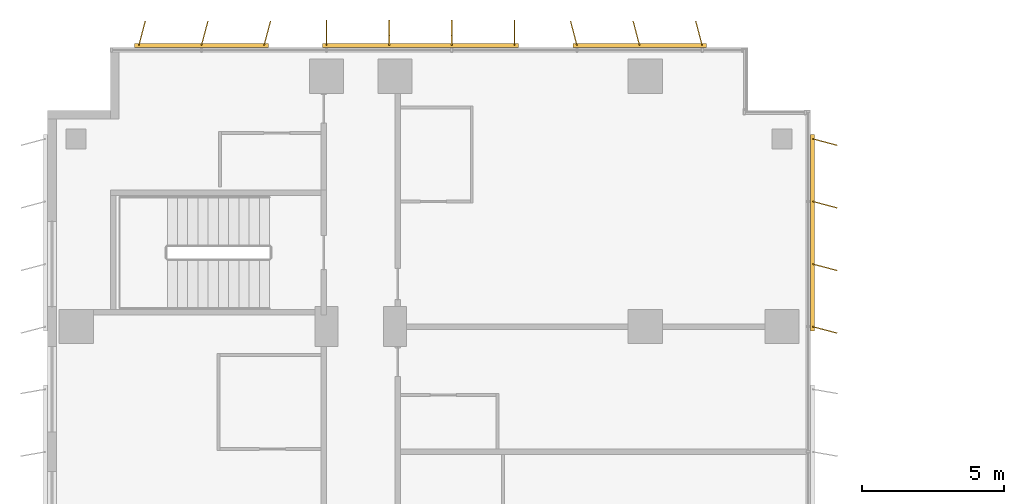
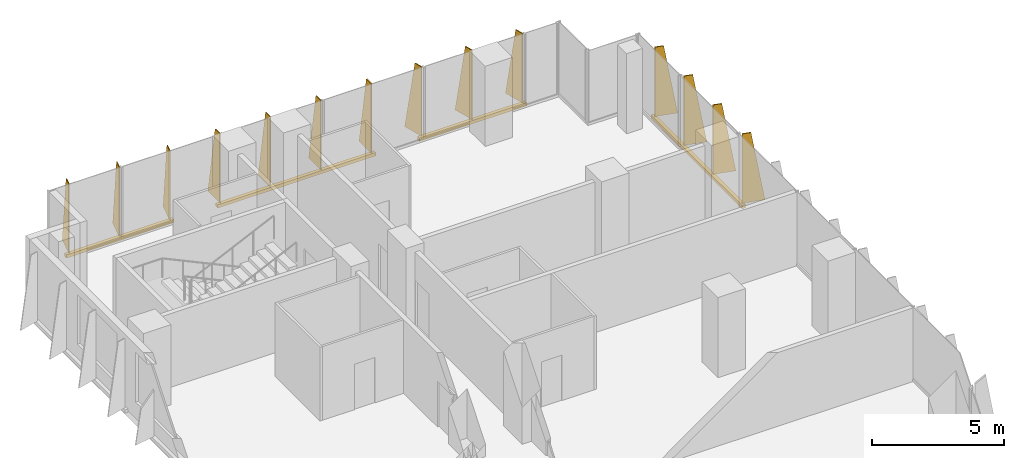
# One storey, part 22 of 22: 4 shading devices.
"""IFC4 building model written with IfcOpenShell, lengths in metres."""

from ifc_helpers import new_model, si_unit, direction, frame, origin, origin_2d, place, context, subcontext, project, spatial, polyline, rectangle, outline, extrude, source, transform, mapped, material, layer, layer_set, type_object, element, save


model = new_model("IFC4")

# Units and contexts
model_context = context("Model", 3, precision=1e-05, world=origin(), true_north=direction((0.0, 1.0)))
body_context = subcontext(model_context, "Body", "Model", "MODEL_VIEW")
ifc_project = project(units=[si_unit("LENGTHUNIT", "METRE"), si_unit("AREAUNIT", "SQUARE_METRE"), si_unit("VOLUMEUNIT", "CUBIC_METRE"), si_unit("PLANEANGLEUNIT", "RADIAN"), si_unit("MASSUNIT", "GRAM", prefix="KILO")], contexts=[model_context])

# Site, building, storey
site_placement = place(None, origin())
site = spatial("IfcSite", under=ifc_project, at=site_placement, CompositionType="ELEMENT")
building_placement = place(site_placement, origin())
building = spatial("IfcBuilding", under=site, at=building_placement, Name="Kemantara Hotel Tower", CompositionType="ELEMENT")
storey_placement = place(building_placement, frame((0.0, 0.0, 87.10009765625)))
storey = spatial("IfcBuildingStorey", under=building, at=storey_placement, Name="L20", CompositionType="ELEMENT", Elevation=87.10009765625)

# Shading devices
ifc_material = material(Name="Perforated aluminium plate 4 mm bronze anodised", Category="aluminium")
ifc_layer_1 = layer(ifc_material, 0.0400390625)
ifc_layer_set_1 = layer_set([ifc_layer_1], Name="Perforated aluminium plate 4 mm bronze anodised")
shading_device_type_1 = type_object("IfcShadingDeviceType", Name="SCREEN FIN CASSETTE, 3 BLADES AT -15.0 DEG, 3200 HIGH", PredefinedType="USERDEFINED", material=ifc_layer_set_1)
shared_shape_1 = source(origin(), body_context, "Body", "SweptSolid", [
    extrude(rectangle(XDim=4.699951171875, YDim=0.14990234375, at=origin_2d()), frame((2.199951171875, -0.074951171875, -0.14990234375), z_axis=(0.0, 0.0, 1.0), x_axis=(1.0, 0.0, 0.0)), (0.0, 0.0, 1.0), 0.14990234375),
    extrude(outline(polyline([(0.0, 0.0), (0.89990234375, 0.0), (0.35009765625, 3.199951171875), (0.0, 3.199951171875), (0.0, 0.0)])), frame((0.019287109375, -0.080078125, 0.0), z_axis=(-0.966437683387, 0.256901156343, 0.0), x_axis=(-0.256901156343, -0.966437683387, 0.0)), (0.0, 0.0, 1.0), 0.039794921875),
    extrude(outline(polyline([(0.0, 0.0), (0.89990234375, 0.0), (0.35009765625, 3.199951171875), (0.0, 3.199951171875), (0.0, 0.0)])), frame((2.21923828125, -0.080078125, 0.0), z_axis=(-0.966437683387, 0.256901156343, 0.0), x_axis=(-0.256901156343, -0.966437683387, 0.0)), (0.0, 0.0, 1.0), 0.039794921875),
    extrude(outline(polyline([(0.0, 0.0), (0.89990234375, 0.0), (0.35009765625, 3.199951171875), (0.0, 3.199951171875), (0.0, 0.0)])), frame((4.41943359375, -0.080078125, 0.0), z_axis=(-0.966837822169, 0.255391122837, 0.0), x_axis=(-0.255391122837, -0.966837822169, 0.0)), (0.0, 0.0, 1.0), 0.0400390625),
])
shading_device_1_placement = place(storey_placement, frame((7.60009765625, 81.199951171875, 0.099853515625), z_axis=(0.0, 0.0, 1.0), x_axis=(-1.0, 0.0, 0.0)))
element("IfcShadingDevice", 1, at=shading_device_1_placement, inside=storey, type_object=shading_device_type_1, Name="SCREEN FIN CASSETTE L20 T2-R01-3", ObjectType="SCREEN FIN", PredefinedType="USERDEFINED", context=body_context, shape_type="MappedRepresentation", body=[
    mapped(shared_shape_1, transform((0.0, 0.0, 0.0))),
])
ifc_layer_2 = layer(ifc_material, 0.0400390625)
ifc_layer_set_2 = layer_set([ifc_layer_2], Name="Perforated aluminium plate 4 mm bronze anodised")
shading_device_type_2 = type_object("IfcShadingDeviceType", Name="SCREEN FIN CASSETTE, 4 BLADES AT +0.0 DEG, 3200 HIGH", PredefinedType="USERDEFINED", material=ifc_layer_set_2)
shared_shape_2 = source(origin(), body_context, "Body", "SweptSolid", [
    extrude(rectangle(XDim=6.89990234375, YDim=0.14990234375, at=origin_2d()), frame((3.300048828125, -0.074951171875, -0.14990234375), z_axis=(0.0, 0.0, 1.0), x_axis=(1.0, 0.0, 0.0)), (0.0, 0.0, 1.0), 0.14990234375),
    extrude(outline(polyline([(0.0, 0.0), (0.89990234375, 0.0), (0.35009765625, 3.199951171875), (0.0, 3.199951171875), (0.0, 0.0)])), frame((0.02001953125, -0.074951171875, 0.0), z_axis=(-1.0, 0.0, 0.0), x_axis=(0.0, -1.0, 0.0)), (0.0, 0.0, 1.0), 0.0400390625),
    extrude(outline(polyline([(0.0, 0.0), (0.89990234375, 0.0), (0.35009765625, 3.199951171875), (0.0, 3.199951171875), (0.0, 0.0)])), frame((2.219970703125, -0.074951171875, 0.0), z_axis=(-1.0, 0.0, 0.0), x_axis=(0.0, -1.0, 0.0)), (0.0, 0.0, 1.0), 0.0400390625),
    extrude(outline(polyline([(0.0, 0.0), (0.89990234375, 0.0), (0.35009765625, 3.199951171875), (0.0, 3.199951171875), (0.0, 0.0)])), frame((4.419921875, -0.074951171875, 0.0), z_axis=(-1.0, 0.0, 0.0), x_axis=(0.0, -1.0, 0.0)), (0.0, 0.0, 1.0), 0.0400390625),
    extrude(outline(polyline([(0.0, 0.0), (0.89990234375, 0.0), (0.35009765625, 3.199951171875), (0.0, 3.199951171875), (0.0, 0.0)])), frame((6.6201171875, -0.074951171875, 0.0), z_axis=(-1.0, 0.0, 0.0), x_axis=(0.0, -1.0, 0.0)), (0.0, 0.0, 1.0), 0.0400390625),
])
shading_device_2_placement = place(storey_placement, frame((16.39990234375, 81.199951171875, 0.099853515625), z_axis=(0.0, 0.0, 1.0), x_axis=(-1.0, 0.0, 0.0)))
element("IfcShadingDevice", 2, at=shading_device_2_placement, inside=storey, type_object=shading_device_type_2, Name="SCREEN FIN CASSETTE L20 T2-R01-2", ObjectType="SCREEN FIN", PredefinedType="USERDEFINED", context=body_context, shape_type="MappedRepresentation", body=[
    mapped(shared_shape_2, transform((0.0, 0.0, 0.0))),
])
ifc_layer_3 = layer(ifc_material, 0.0400390625)
ifc_layer_set_3 = layer_set([ifc_layer_3], Name="Perforated aluminium plate 4 mm bronze anodised")
shading_device_type_3 = type_object("IfcShadingDeviceType", Name="SCREEN FIN CASSETTE, 3 BLADES AT +15.0 DEG, 3200 HIGH", PredefinedType="USERDEFINED", material=ifc_layer_set_3)
shared_shape_3 = source(origin(), body_context, "Body", "SweptSolid", [
    extrude(rectangle(XDim=4.699951171875, YDim=0.14990234375, at=origin_2d()), frame((2.199951171875, -0.074951171875, -0.14990234375), z_axis=(0.0, 0.0, 1.0), x_axis=(1.0, 0.0, 0.0)), (0.0, 0.0, 1.0), 0.14990234375),
    extrude(outline(polyline([(0.0, 0.0), (0.89990234375, 0.0), (0.35009765625, 3.199951171875), (0.0, 3.199951171875), (0.0, 0.0)])), frame((0.019287109375, -0.06982421875, 0.0), z_axis=(-0.966437683387, -0.256901156343, 0.0), x_axis=(0.256901156343, -0.966437683387, 0.0)), (0.0, 0.0, 1.0), 0.039794921875),
    extrude(outline(polyline([(0.0, 0.0), (0.89990234375, 0.0), (0.35009765625, 3.199951171875), (0.0, 3.199951171875), (0.0, 0.0)])), frame((2.21923828125, -0.06982421875, 0.0), z_axis=(-0.966437683387, -0.256901156343, 0.0), x_axis=(0.256901156343, -0.966437683387, 0.0)), (0.0, 0.0, 1.0), 0.039794921875),
    extrude(outline(polyline([(0.0, 0.0), (0.89990234375, 0.0), (0.35009765625, 3.199951171875), (0.0, 3.199951171875), (0.0, 0.0)])), frame((4.41943359375, -0.06982421875, 0.0), z_axis=(-0.966837822169, -0.255391122837, 0.0), x_axis=(0.255391122837, -0.966837822169, 0.0)), (0.0, 0.0, 1.0), 0.0400390625),
])
shading_device_3_placement = place(storey_placement, frame((23.0, 81.199951171875, 0.099853515625), z_axis=(0.0, 0.0, 1.0), x_axis=(-1.0, 0.0, 0.0)))
element("IfcShadingDevice", 3, at=shading_device_3_placement, inside=storey, type_object=shading_device_type_3, Name="SCREEN FIN CASSETTE L20 T2-R01-1", ObjectType="SCREEN FIN", PredefinedType="USERDEFINED", context=body_context, shape_type="MappedRepresentation", body=[
    mapped(shared_shape_3, transform((0.0, 0.0, 0.0))),
])
ifc_layer_4 = layer(ifc_material, 0.0400390625)
ifc_layer_set_4 = layer_set([ifc_layer_4], Name="Perforated aluminium plate 4 mm bronze anodised")
shading_device_type_4 = type_object("IfcShadingDeviceType", Name="SCREEN FIN CASSETTE, 4 BLADES AT -15.0 DEG, 3200 HIGH", PredefinedType="USERDEFINED", material=ifc_layer_set_4)
shared_shape_4 = source(origin(), body_context, "Body", "SweptSolid", [
    extrude(rectangle(XDim=6.89990234375, YDim=0.14990234375, at=origin_2d()), frame((3.300048828125, -0.074951171875, -0.14990234375), z_axis=(0.0, 0.0, 1.0), x_axis=(1.0, 0.0, 0.0)), (0.0, 0.0, 1.0), 0.14990234375),
    extrude(outline(polyline([(0.0, 0.0), (0.89990234375, 0.0), (0.35009765625, 3.199951171875), (0.0, 3.199951171875), (0.0, 0.0)])), frame((0.019287109375, -0.080078125, 0.0), z_axis=(-0.966437683387, 0.256901156343, 0.0), x_axis=(-0.256901156343, -0.966437683387, 0.0)), (0.0, 0.0, 1.0), 0.039794921875),
    extrude(outline(polyline([(0.0, 0.0), (0.89990234375, 0.0), (0.35009765625, 3.199951171875), (0.0, 3.199951171875), (0.0, 0.0)])), frame((2.21923828125, -0.080078125, 0.0), z_axis=(-0.966437683387, 0.256901156343, 0.0), x_axis=(-0.256901156343, -0.966437683387, 0.0)), (0.0, 0.0, 1.0), 0.039794921875),
    extrude(outline(polyline([(0.0, 0.0), (0.89990234375, 0.0), (0.35009765625, 3.199951171875), (0.0, 3.199951171875), (0.0, 0.0)])), frame((4.41943359375, -0.080078125, 0.0), z_axis=(-0.966837822169, 0.255391122837, 0.0), x_axis=(-0.255391122837, -0.966837822169, 0.0)), (0.0, 0.0, 1.0), 0.0400390625),
    extrude(outline(polyline([(0.0, 0.0), (0.89990234375, 0.0), (0.35009765625, 3.199951171875), (0.0, 3.199951171875), (0.0, 0.0)])), frame((6.619384765625, -0.080078125, 0.0), z_axis=(-0.966837822169, 0.255391122837, 0.0), x_axis=(-0.255391122837, -0.966837822169, 0.0)), (0.0, 0.0, 1.0), 0.0400390625),
])
shading_device_4_placement = place(storey_placement, frame((26.800048828125, 71.39990234375, 0.099853515625), z_axis=(0.0, 0.0, 1.0), x_axis=(0.0, 1.0, 0.0)))
element("IfcShadingDevice", 4, at=shading_device_4_placement, inside=storey, type_object=shading_device_type_4, Name="SCREEN FIN CASSETTE L20 T2-R14-7", ObjectType="SCREEN FIN", PredefinedType="USERDEFINED", context=body_context, shape_type="MappedRepresentation", body=[
    mapped(shared_shape_4, transform((0.0, 0.0, 0.0))),
])

save(model, "model.ifc")
